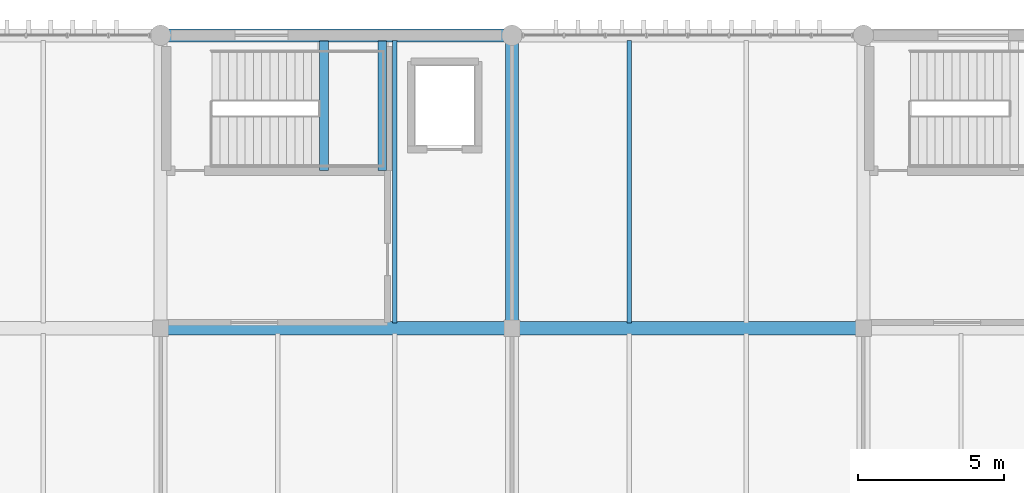
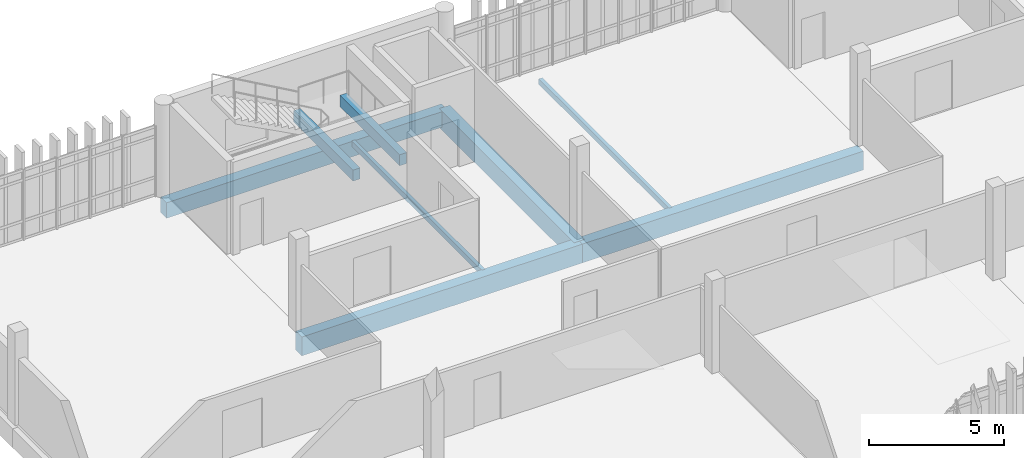
# One storey, part 12 of 29: 8 beams.
"""IFC4 building model written with IfcOpenShell, lengths in metres."""

from ifc_helpers import new_model, si_unit, direction, frame, origin, origin_2d, place, context, subcontext, project, spatial, rectangle, hollow_rectangle, extrude, material, material_profile, profile_set, type_object, element, save


model = new_model("IFC4")

# Units and contexts
model_context = context("Model", 3, precision=1e-05, world=origin(), true_north=direction((0.0, 1.0)))
body_context = subcontext(model_context, "Body", "Model", "MODEL_VIEW")
ifc_project = project(units=[si_unit("LENGTHUNIT", "METRE"), si_unit("AREAUNIT", "SQUARE_METRE"), si_unit("VOLUMEUNIT", "CUBIC_METRE"), si_unit("PLANEANGLEUNIT", "RADIAN"), si_unit("MASSUNIT", "GRAM", prefix="KILO")], contexts=[model_context])

# Site, building, storey
site_placement = place(None, origin())
site = spatial("IfcSite", under=ifc_project, at=site_placement, CompositionType="ELEMENT")
building_placement = place(site_placement, origin())
building = spatial("IfcBuilding", under=site, at=building_placement, Name="Mersad Railyard Sports Hall", CompositionType="ELEMENT")
storey_placement = place(building_placement, frame((0.0, 0.0, 17.39990234375)))
storey = spatial("IfcBuildingStorey", under=building, at=storey_placement, Name="L04", CompositionType="ELEMENT", Elevation=17.39990234375)

# Beams
ifc_material_1 = material(Name="Concrete C40/50", Category="concrete")
ifc_material_profile_1 = material_profile(ifc_material_1, rectangle(XDim=0.449951171875, YDim=0.85009765625, at=origin_2d()), Name="RC 450x850")
ifc_profile_set_1 = profile_set([ifc_material_profile_1], Name="Concrete C40/50")
beam_type_1 = type_object("IfcBeamType", Name="STR-BM-B02", PredefinedType="BEAM", material=ifc_profile_set_1)
for number, where, z_axis, x_axis, name in (
    (1, (67.0, 105.0, -0.744873046875), (1.0, 0.0, 0.0), (0.0, 1.0, 0.0), "Beam B02-1329"),
    (2, (79.0, 105.0, -0.744873046875), (1.0, 0.0, 0.0), (0.0, 1.0, 0.0), "Beam B02-1330"),
):
    element("IfcBeam", number, at=place(storey_placement, frame(where, z_axis=z_axis, x_axis=x_axis)), inside=storey, type_object=beam_type_1, Name=name, PredefinedType="BEAM", context=body_context, shape_type="SweptSolid", body=[
        extrude(rectangle(XDim=0.449951171875, YDim=0.85009765625, at=origin_2d()), origin(), (0.0, 0.0, 1.0), 12.0),
    ])
beam_1_placement = place(storey_placement, frame((79.0, 105.0, -0.744873046875), z_axis=(0.0, 1.0, 0.0), x_axis=(-1.0, 0.0, 0.0)))
element("IfcBeam", 3, at=beam_1_placement, inside=storey, type_object=beam_type_1, Name="Beam B02-1350", PredefinedType="BEAM", context=body_context, shape_type="SweptSolid", body=[
    extrude(rectangle(XDim=0.449951171875, YDim=0.85009765625, at=origin_2d()), origin(), (0.0, 0.0, 1.0), 10.0),
])
ifc_material_profile_2 = material_profile(ifc_material_1, rectangle(XDim=0.300048828125, YDim=0.5, at=origin_2d()), Name="RC 300x500")
ifc_profile_set_2 = profile_set([ifc_material_profile_2], Name="Concrete C40/50")
beam_type_2 = type_object("IfcBeamType", Name="STR-BM-LN01", PredefinedType="LINTEL", material=ifc_profile_set_2)
for number, where, z_axis, x_axis, name in (
    (4, (72.58203125, 110.3798828125, 1.670166015625), (0.0, 1.0, 0.0), (-1.0, 0.0, 0.0), "Stair ST01F landing beam W"),
    (5, (74.570068359375, 110.3798828125, 1.670166015625), (0.0, 1.0, 0.0), (-1.0, 0.0, 0.0), "Stair ST01F landing beam E"),
):
    element("IfcBeam", number, at=place(storey_placement, frame(where, z_axis=z_axis, x_axis=x_axis)), inside=storey, type_object=beam_type_2, Name=name, PredefinedType="LINTEL", context=body_context, shape_type="SweptSolid", body=[
        extrude(rectangle(XDim=0.300048828125, YDim=0.5, at=origin_2d()), origin(), (0.0, 0.0, 1.0), 4.43017578125),
    ])
ifc_material_2 = material(Name="Steel S355", Category="steel")
ifc_material_profile_3 = material_profile(ifc_material_2, hollow_rectangle(XDim=0.14990234375, YDim=0.25, WallThickness=0.012451171875, at=origin_2d()), Name="RHS 250x150x12.5")
ifc_profile_set_3 = profile_set([ifc_material_profile_3], Name="Steel S355")
beam_type_3 = type_object("IfcBeamType", Name="STR-BM-SB05", PredefinedType="BEAM", material=ifc_profile_set_3)
for number, where, z_axis, x_axis, name in (
    (6, (75.0, 105.179931640625, -0.44482421875), (0.0, 1.0, 0.0), (-1.0, 0.0, 0.0), "Beam SB05-1376"),
    (7, (83.0, 105.179931640625, -0.44482421875), (0.0, 1.0, 0.0), (-1.0, 0.0, 0.0), "Beam SB05-1381"),
):
    element("IfcBeam", number, at=place(storey_placement, frame(where, z_axis=z_axis, x_axis=x_axis)), inside=storey, type_object=beam_type_3, Name=name, PredefinedType="BEAM", context=body_context, shape_type="SweptSolid", body=[
        extrude(hollow_rectangle(XDim=0.14990234375, YDim=0.25, WallThickness=0.012451171875, at=origin_2d()), origin(), (0.0, 0.0, 1.0), 9.64013671875),
    ])
ifc_material_3 = material(Name="Architectural concrete C40/50", Category="concrete")
ifc_material_profile_4 = material_profile(ifc_material_3, rectangle(XDim=0.449951171875, YDim=0.699951171875, at=origin_2d()), Name="RC 450x700")
ifc_profile_set_4 = profile_set([ifc_material_profile_4], Name="Architectural concrete C40/50")
beam_type_4 = type_object("IfcBeamType", Name="STR-BM-SP01", PredefinedType="SPANDREL", material=ifc_profile_set_4)
beam_2_placement = place(storey_placement, frame((67.0, 115.0, -0.669921875), z_axis=(1.0, 0.0, 0.0), x_axis=(0.0, 1.0, 0.0)))
element("IfcBeam", 8, at=beam_2_placement, inside=storey, type_object=beam_type_4, Name="Beam SP01-1336", PredefinedType="SPANDREL", context=body_context, shape_type="SweptSolid", body=[
    extrude(rectangle(XDim=0.449951171875, YDim=0.699951171875, at=origin_2d()), origin(), (0.0, 0.0, 1.0), 12.0),
])

save(model, "model.ifc")
